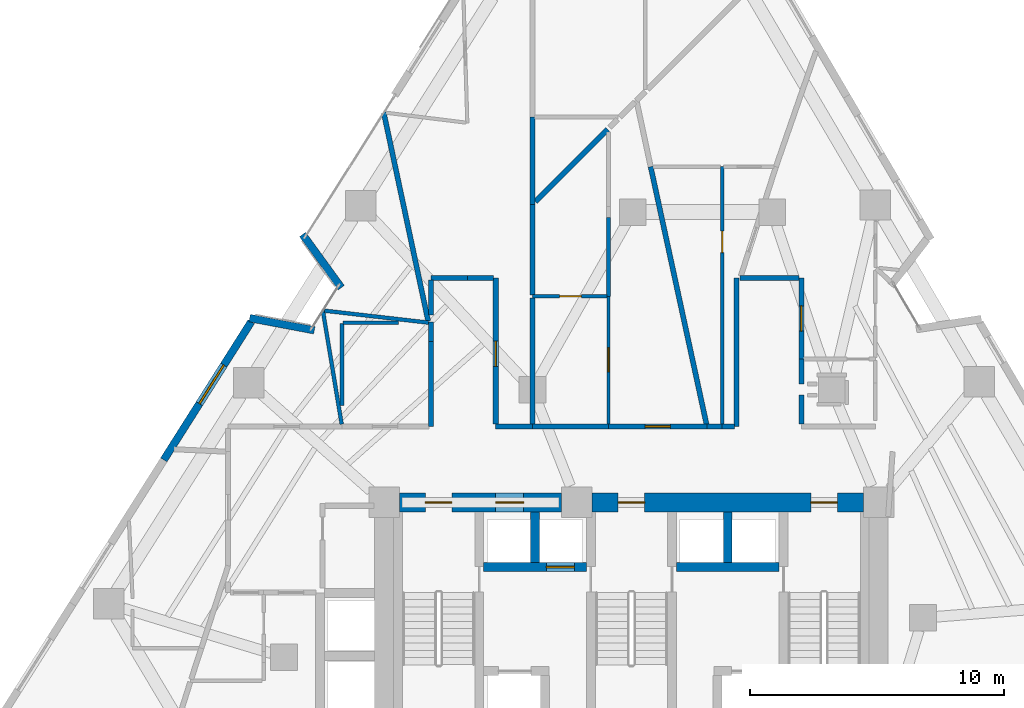
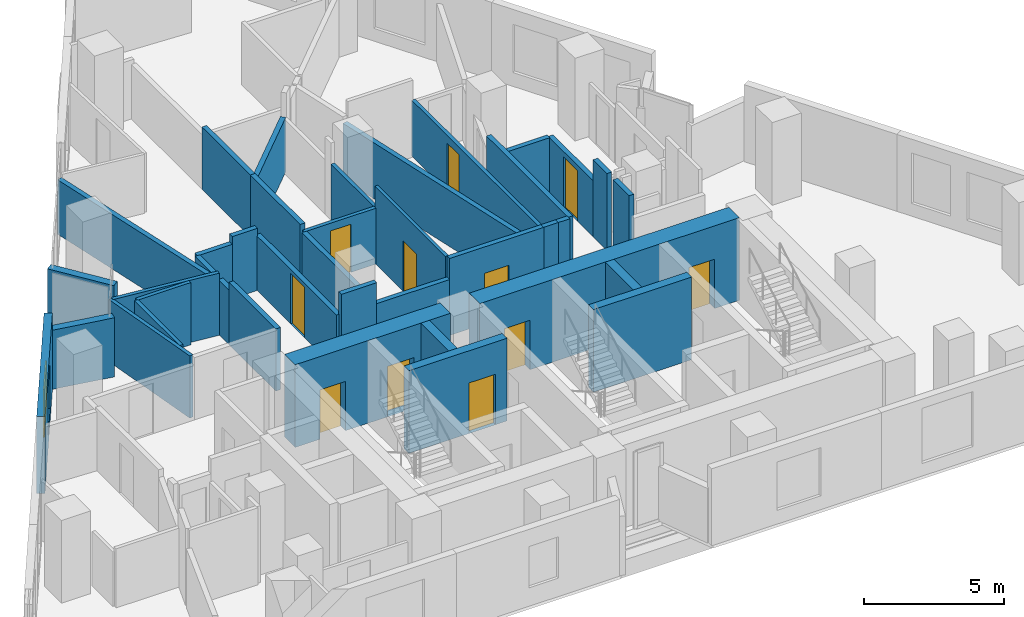
# One storey, part 7 of 12: 39 walls, 11 doors, 1 window, 12 openings.
"""IFC4 building model written with IfcOpenShell, lengths in metres."""

from ifc_helpers import new_model, si_unit, direction, frame, frame_2d, origin, place, context, subcontext, project, spatial, rectangle, extrude, material, layer, layer_set, type_object, element, fill, save


model = new_model("IFC4")

# Units and contexts
model_context = context("Model", 3, precision=1e-05, world=origin(), true_north=direction((0.0, 1.0)))
body_context = subcontext(model_context, "Body", "Model", "MODEL_VIEW")
ifc_project = project(units=[si_unit("LENGTHUNIT", "METRE"), si_unit("AREAUNIT", "SQUARE_METRE"), si_unit("VOLUMEUNIT", "CUBIC_METRE"), si_unit("PLANEANGLEUNIT", "RADIAN"), si_unit("MASSUNIT", "GRAM", prefix="KILO")], contexts=[model_context])

# Site, building, storey
site_placement = place(None, origin())
site = spatial("IfcSite", under=ifc_project, at=site_placement, CompositionType="ELEMENT")
building_placement = place(site_placement, origin())
building = spatial("IfcBuilding", under=site, at=building_placement, Name="Almagre Mirador Tower", CompositionType="ELEMENT")
storey_placement = place(building_placement, frame((0.0, 0.0, 110.39990234375)))
storey = spatial("IfcBuildingStorey", under=building, at=storey_placement, Name="L27", CompositionType="ELEMENT", Elevation=110.39990234375)

# Walls
ifc_material_1 = material(Name="Precast concrete C50/60", Category="concrete")
ifc_layer_1 = layer(ifc_material_1, 0.300048828125)
ifc_layer_set_1 = layer_set([ifc_layer_1], Name="Precast concrete C50/60")
wall_type_1 = type_object("IfcWallType", Name="WAL-EXT-300", PredefinedType="SOLIDWALL", material=ifc_layer_set_1)
for number, where, z_axis, x_axis, name in (
    (1, (22.246337890625, 22.02099609375, 0.0), (0.0, 0.0, 1.0), (0.982733402646, -0.185027185367, 0.0), "L27 expressed almagre precast frame wall 01"),
    (2, (25.8583984375, 23.2197265625, 0.0), (0.0, 0.0, 1.0), (-0.587763102288, 0.809033086832, 0.0), "L27 expressed almagre precast frame wall 02"),
):
    element("IfcWall", number, at=place(storey_placement, frame(where, z_axis=z_axis, x_axis=x_axis)), inside=storey, type_object=wall_type_1, Name=name, PredefinedType="SOLIDWALL", context=body_context, shape_type="SweptSolid", body=[
        extrude(rectangle(XDim=2.593994140625, YDim=0.300048828125, at=frame_2d((1.296875, 0.0))), origin(), (0.0, 0.0, 1.0), 2.5751953125),
    ])

# Wall, opening, window
wall_1_placement = place(storey_placement, frame((18.860595703125, 16.429443359375, 0.0), z_axis=(0.0, 0.0, 1.0), x_axis=(0.534891708764, 0.844920623429, 0.0)))
wall_1 = element("IfcWall", 3, at=wall_1_placement, inside=storey, type_object=wall_type_1, Name="L27 expressed almagre precast frame wall 35", PredefinedType="SOLIDWALL", context=body_context, shape_type="SweptSolid", body=[
    extrude(rectangle(XDim=6.447021484375, YDim=0.300048828125, at=frame_2d((3.2236328125, 0.0))), origin(), (0.0, 0.0, 1.0), 3.35009765625),
])
opening_1_placement = place(wall_1_placement, frame((2.625, 0.0, 0.60009765625)))
opening_1 = element("IfcOpeningElement", 4, at=opening_1_placement, cuts=wall_1, Name="Opening WN-01", PredefinedType="OPENING", context=body_context, shape_type="SweptSolid", body=[
    extrude(rectangle(XDim=1.800048828125, YDim=2.10009765625, at=frame_2d((0.89990234375, 1.050048828125))), frame((0.0, 0.159902, 0.0), z_axis=(0.0, -1.0, 0.0), x_axis=(1.0, 0.0, 0.0)), (0.0, 0.0, 1.0), 0.320049),
])
ifc_material_2 = material(Name="Dark solar-control laminated hurricane glass", Category="glass")
window_type = type_object("IfcWindowType", Name="WIN-1800X2100", PartitioningType="DOUBLE_PANEL_VERTICAL", PredefinedType="WINDOW", material=ifc_material_2)
window_placement = place(opening_1_placement, origin())
window = element("IfcWindow", 5, at=window_placement, inside=storey, type_object=window_type, Name="L27 recessed hurricane window L27-UF-ST", OverallHeight=2.10009765625, OverallWidth=1.800048828125, PartitioningType="SINGLE_PANEL", PredefinedType="WINDOW", context=body_context, shape_type="SweptSolid", body=[
    extrude(rectangle(XDim=1.800048828125, YDim=2.10009765625, at=frame_2d((0.89990234375, 1.050048828125))), frame((0.0, 0.030029296875, 0.0), z_axis=(0.0, -1.0, 0.0), x_axis=(1.0, 0.0, 0.0)), (0.0, 0.0, 1.0), 0.06005859375),
])
fill(opening_1, window)

# Wall, opening, door
ifc_material_3 = material(Name="Gypsum acoustic stud partition", Category="other")
ifc_layer_2 = layer(ifc_material_3, 0.125)
ifc_layer_set_2 = layer_set([ifc_layer_2], Name="Gypsum acoustic stud partition")
wall_type_2 = type_object("IfcWallType", Name="WAL-PRT-125-UTL", PredefinedType="PARTITIONING", material=ifc_layer_set_2)
wall_2_placement = place(storey_placement, frame((36.39990234375, 22.8798828125, 0.0), z_axis=(0.0, 0.0, 1.0), x_axis=(0.0, -1.0, 0.0)))
wall_2 = element("IfcWall", 6, at=wall_2_placement, inside=storey, type_object=wall_type_2, Name="L27 interior partition 059", PredefinedType="PARTITIONING", context=body_context, shape_type="SweptSolid", body=[
    extrude(rectangle(XDim=5.044921875, YDim=0.125, at=frame_2d((2.5224609375, 0.0))), origin(), (0.0, 0.0, 1.0), 3.35009765625),
])
opening_2_placement = place(wall_2_placement, frame((2.031005859375, 0.0, 0.0)))
opening_2 = element("IfcOpeningElement", 7, at=opening_2_placement, cuts=wall_2, Name="Opening UD-01", PredefinedType="OPENING", context=body_context, shape_type="SweptSolid", body=[
    extrude(rectangle(XDim=0.949951171875, YDim=2.199951171875, at=frame_2d((0.47509765625, 1.10009765625))), frame((0.0, 0.0725, 0.0), z_axis=(0.0, -1.0, 0.0), x_axis=(1.0, 0.0, 0.0)), (0.0, 0.0, 1.0), 0.145),
])
ifc_material_4 = material(Name="Solid American walnut timber", Category="wood")
door_type_1 = type_object("IfcDoorType", Name="DOR-UNR-950X2200", OperationType="NOTDEFINED", PredefinedType="DOOR", material=ifc_material_4)
door_1_placement = place(opening_2_placement, origin())
door_1 = element("IfcDoor", 8, at=door_1_placement, inside=storey, type_object=door_type_1, Name="DR-0893 L27 interior door L27-UG-ST to L27-UG-KT", OperationType="SINGLE_SWING_LEFT", OverallHeight=2.199951171875, OverallWidth=0.949951171875, PredefinedType="DOOR", context=body_context, shape_type="SweptSolid", body=[
    extrude(rectangle(XDim=0.949951171875, YDim=2.199951171875, at=frame_2d((0.47509765625, 1.10009765625))), frame((0.0, 0.02490234375, 0.0), z_axis=(0.0, -1.0, 0.0), x_axis=(1.0, 0.0, 0.0)), (0.0, 0.0, 1.0), 0.050048828125),
])
fill(opening_2, door_1)

# Walls
ifc_material_5 = material(Name="Gypsum acoustic stud partition", Category="other")
ifc_layer_3 = layer(ifc_material_5, 0.14990234375)
ifc_layer_set_3 = layer_set([ifc_layer_3], Name="Gypsum acoustic stud partition")
wall_type_3 = type_object("IfcWallType", Name="WAL-PRT-150-STD", PredefinedType="PARTITIONING", material=ifc_layer_set_3)
wall_3_placement = place(storey_placement, frame((25.876220703125, 17.833984375, 0.0), z_axis=(0.0, 0.0, 1.0), x_axis=(-0.163258044995, 0.986583402832, 0.0)))
element("IfcWall", 9, at=wall_3_placement, inside=storey, type_object=wall_type_3, Name="L27 interior partition 054", PredefinedType="PARTITIONING", context=body_context, shape_type="SweptSolid", body=[
    extrude(rectangle(XDim=4.546142578125, YDim=0.14990234375, at=frame_2d((2.27294921875, 0.0))), origin(), (0.0, 0.0, 1.0), 2.708984375),
])
wall_4_placement = place(storey_placement, frame((29.300048828125, 21.840087890625, 0.0), z_axis=(0.0, 0.0, 1.0), x_axis=(-0.993461085134, 0.114171241234, 0.0)))
element("IfcWall", 10, at=wall_4_placement, inside=storey, type_object=wall_type_3, Name="L27 interior partition 055", PredefinedType="PARTITIONING", context=body_context, shape_type="SweptSolid", body=[
    extrude(rectangle(XDim=4.133544921875, YDim=0.14990234375, at=frame_2d((2.06689453125, 0.0))), origin(), (0.0, 0.0, 1.0), 2.708984375),
])
wall_5_placement = place(storey_placement, frame((36.39990234375, 25.97998046875, 0.0), z_axis=(0.0, 0.0, 1.0), x_axis=(0.0, -1.0, 0.0)))
element("IfcWall", 11, at=wall_5_placement, inside=storey, type_object=wall_type_3, Name="L27 interior partition 057", PredefinedType="PARTITIONING", context=body_context, shape_type="SweptSolid", body=[
    extrude(rectangle(XDim=3.10009765625, YDim=0.14990234375, at=frame_2d((1.550048828125, 0.0))), origin(), (0.0, 0.0, 1.0), 2.43603515625),
])

# Wall, opening, door
wall_6_placement = place(storey_placement, frame((33.39990234375, 22.8798828125, 0.0), z_axis=(0.0, 0.0, 1.0), x_axis=(1.0, 0.0, 0.0)))
wall_6 = element("IfcWall", 12, at=wall_6_placement, inside=storey, type_object=wall_type_3, Name="L27 interior partition 064", PredefinedType="PARTITIONING", context=body_context, shape_type="SweptSolid", body=[
    extrude(rectangle(XDim=2.940185546875, YDim=0.14990234375, at=frame_2d((1.47021484375, 0.0))), origin(), (0.0, 0.0, 1.0), 2.43603515625),
])
opening_3_placement = place(wall_6_placement, frame((1.074951171875, 0.0, 0.0)))
opening_3 = element("IfcOpeningElement", 13, at=opening_3_placement, cuts=wall_6, Name="Opening UD-04", PredefinedType="OPENING", context=body_context, shape_type="SweptSolid", body=[
    extrude(rectangle(XDim=0.85009765625, YDim=2.10009765625, at=frame_2d((0.425048828125, 1.050048828125))), frame((0.0, 0.084951, 0.0), z_axis=(0.0, -1.0, 0.0), x_axis=(1.0, 0.0, 0.0)), (0.0, 0.0, 1.0), 0.169902),
])
ifc_material_6 = material(Name="Moisture-resistant oak timber", Category="wood")
door_type_2 = type_object("IfcDoorType", Name="DOR-UNR-850X2100", OperationType="NOTDEFINED", PredefinedType="DOOR", material=ifc_material_6)
door_2_placement = place(opening_3_placement, origin())
door_2 = element("IfcDoor", 14, at=door_2_placement, inside=storey, type_object=door_type_2, Name="DR-0894 L27 interior door L27-UG-BT to L27-UG-KT", OperationType="SINGLE_SWING_RIGHT", OverallHeight=2.10009765625, OverallWidth=0.85009765625, PredefinedType="DOOR", context=body_context, shape_type="SweptSolid", body=[
    extrude(rectangle(XDim=0.85009765625, YDim=2.10009765625, at=frame_2d((0.425048828125, 1.050048828125))), frame((0.0, 0.02490234375, 0.0), z_axis=(0.0, -1.0, 0.0), x_axis=(1.0, 0.0, 0.0)), (0.0, 0.0, 1.0), 0.050048828125),
])
fill(opening_3, door_2)

wall_7_placement = place(storey_placement, frame((40.8798828125, 27.989990234375, 0.0), z_axis=(0.0, 0.0, 1.0), x_axis=(0.0, -1.0, 0.0)))
wall_7 = element("IfcWall", 15, at=wall_7_placement, inside=storey, type_object=wall_type_3, Name="L27 interior partition 082", PredefinedType="PARTITIONING", context=body_context, shape_type="SweptSolid", body=[
    extrude(rectangle(XDim=10.155029296875, YDim=0.14990234375, at=frame_2d((5.07763671875, 0.0))), origin(), (0.0, 0.0, 1.0), 2.43603515625),
])
opening_4_placement = place(wall_7_placement, frame((2.537353515625, 0.0, 0.0)))
opening_4 = element("IfcOpeningElement", 16, at=opening_4_placement, cuts=wall_7, Name="Opening UD-04", PredefinedType="OPENING", context=body_context, shape_type="SweptSolid", body=[
    extrude(rectangle(XDim=0.85009765625, YDim=2.10009765625, at=frame_2d((0.425048828125, 1.050048828125))), frame((0.0, 0.084951, 0.0), z_axis=(0.0, -1.0, 0.0), x_axis=(1.0, 0.0, 0.0)), (0.0, 0.0, 1.0), 0.169902),
])
door_3_placement = place(opening_4_placement, origin())
door_3 = element("IfcDoor", 17, at=door_3_placement, inside=storey, type_object=door_type_2, Name="DR-0902 L27 interior door L27-UK-ST to L27-UK-BT", OperationType="SINGLE_SWING_LEFT", OverallHeight=2.10009765625, OverallWidth=0.85009765625, PredefinedType="DOOR", context=body_context, shape_type="SweptSolid", body=[
    extrude(rectangle(XDim=0.85009765625, YDim=2.10009765625, at=frame_2d((0.425048828125, 1.050048828125))), frame((0.0, 0.02490234375, 0.0), z_axis=(0.0, -1.0, 0.0), x_axis=(1.0, 0.0, 0.0)), (0.0, 0.0, 1.0), 0.050048828125),
])
fill(opening_4, door_3)

# Walls
wall_8_placement = place(storey_placement, frame((25.889892578125, 18.576904296875, 0.0), z_axis=(0.0, 0.0, 1.0), x_axis=(0.0, 1.0, 0.0)))
element("IfcWall", 18, at=wall_8_placement, inside=storey, type_object=wall_type_3, Name="L27 interior partition 094", PredefinedType="PARTITIONING", context=body_context, shape_type="SweptSolid", body=[
    extrude(rectangle(XDim=3.22314453125, YDim=0.14990234375, at=frame_2d((1.611572265625, 0.0))), origin(), (0.0, 0.0, 1.0), 2.708984375),
])
wall_9_placement = place(storey_placement, frame((25.929931640625, 21.840087890625, 0.0), z_axis=(0.0, 0.0, 1.0), x_axis=(1.0, 0.0, 0.0)))
element("IfcWall", 19, at=wall_9_placement, inside=storey, type_object=wall_type_3, Name="L27 interior partition 095", PredefinedType="PARTITIONING", context=body_context, shape_type="SweptSolid", body=[
    extrude(rectangle(XDim=2.18798828125, YDim=0.14990234375, at=frame_2d((1.093994140625, 0.0))), origin(), (0.0, 0.0, 1.0), 2.708984375),
])
ifc_material_7 = material(Name="Gypsum acoustic stud partition", Category="other")
ifc_layer_4 = layer(ifc_material_7, 0.199951171875)
ifc_layer_set_4 = layer_set([ifc_layer_4], Name="Gypsum acoustic stud partition")
wall_type_4 = type_object("IfcWallType", Name="WAL-PRT-200-EI60", PredefinedType="PARTITIONING", material=ifc_layer_set_4)
wall_10_placement = place(storey_placement, frame((29.39990234375, 21.10009765625, 0.0), z_axis=(0.0, 0.0, 1.0), x_axis=(0.0, -1.0, 0.0)))
element("IfcWall", 20, at=wall_10_placement, inside=storey, type_object=wall_type_4, Name="L27 interior partition 008", PredefinedType="PARTITIONING", context=body_context, shape_type="SweptSolid", body=[
    extrude(rectangle(XDim=3.35009765625, YDim=0.199951171875, at=frame_2d((1.675048828125, 0.0))), origin(), (0.0, 0.0, 1.0), 2.708984375),
])

# Wall, opening, door
wall_11_placement = place(storey_placement, frame((40.280029296875, 17.75, 0.0), z_axis=(0.0, 0.0, 1.0), x_axis=(-1.0, 0.0, 0.0)))
wall_11 = element("IfcWall", 21, at=wall_11_placement, inside=storey, type_object=wall_type_4, Name="L27 interior partition 010", PredefinedType="PARTITIONING", context=body_context, shape_type="SweptSolid", body=[
    extrude(rectangle(XDim=3.880126953125, YDim=0.199951171875, at=frame_2d((1.93994140625, 0.0))), origin(), (0.0, 0.0, 1.0), 3.35009765625),
])
opening_5_placement = place(wall_11_placement, frame((1.43994140625, 0.0, 0.0)))
opening_5 = element("IfcOpeningElement", 22, at=opening_5_placement, cuts=wall_11, Name="Opening ID-01", PredefinedType="OPENING", context=body_context, shape_type="SweptSolid", body=[
    extrude(rectangle(XDim=1.0, YDim=2.199951171875, at=frame_2d((0.5, 1.10009765625))), frame((0.0, 0.110098, 0.0), z_axis=(0.0, -1.0, 0.0), x_axis=(1.0, 0.0, 0.0)), (0.0, 0.0, 1.0), 0.219951),
])
ifc_material_8 = material(Name="Fire-rated walnut timber", Category="wood")
door_type_3 = type_object("IfcDoorType", Name="DOR-FD60-1000X2200", OperationType="NOTDEFINED", PredefinedType="DOOR", material=ifc_material_8)
door_4_placement = place(opening_5_placement, origin())
door_4 = element("IfcDoor", 23, at=door_4_placement, inside=storey, type_object=door_type_3, Name="DR-0892 L27 interior door L27-RCOR to L27-UG-ST", OperationType="SINGLE_SWING_RIGHT", OverallHeight=2.199951171875, OverallWidth=1.0, PredefinedType="DOOR", context=body_context, shape_type="SweptSolid", body=[
    extrude(rectangle(XDim=1.0, YDim=2.199951171875, at=frame_2d((0.5, 1.10009765625))), frame((0.0, 0.02490234375, 0.0), z_axis=(0.0, -1.0, 0.0), x_axis=(1.0, 0.0, 0.0)), (0.0, 0.0, 1.0), 0.050048828125),
])
fill(opening_5, door_4)

# Wall
wall_12_placement = place(storey_placement, frame((36.39990234375, 17.75, 0.0), z_axis=(0.0, 0.0, 1.0), x_axis=(-1.0, 0.0, 0.0)))
element("IfcWall", 24, at=wall_12_placement, inside=storey, type_object=wall_type_4, Name="L27 interior partition 011", PredefinedType="PARTITIONING", context=body_context, shape_type="SweptSolid", body=[
    extrude(rectangle(XDim=3.0, YDim=0.199951171875, at=frame_2d((1.5, 0.0))), origin(), (0.0, 0.0, 1.0), 2.43603515625),
])

# Wall, opening, door
wall_13_placement = place(storey_placement, frame((44.0, 20.409912109375, 0.0), z_axis=(0.0, 0.0, 1.0), x_axis=(0.0, 1.0, 0.0)))
wall_13 = element("IfcWall", 25, at=wall_13_placement, inside=storey, type_object=wall_type_4, Name="L27 interior partition 012", PredefinedType="PARTITIONING", context=body_context, shape_type="SweptSolid", body=[
    extrude(rectangle(XDim=3.190185546875, YDim=0.199951171875, at=frame_2d((1.59521484375, 0.0))), origin(), (0.0, 0.0, 1.0), 2.43603515625),
])
opening_6_placement = place(wall_13_placement, frame((1.094970703125, 0.0, 0.0)))
opening_6 = element("IfcOpeningElement", 26, at=opening_6_placement, cuts=wall_13, Name="Opening ID-01", PredefinedType="OPENING", context=body_context, shape_type="SweptSolid", body=[
    extrude(rectangle(XDim=1.0, YDim=2.199951171875, at=frame_2d((0.5, 1.10009765625))), frame((0.0, 0.110098, 0.0), z_axis=(0.0, -1.0, 0.0), x_axis=(1.0, 0.0, 0.0)), (0.0, 0.0, 1.0), 0.219951),
])
door_5_placement = place(opening_6_placement, origin())
door_5 = element("IfcDoor", 27, at=door_5_placement, inside=storey, type_object=door_type_3, Name="DR-0895 L27 interior door L27-RCOR to L27-UH-LV", OperationType="SINGLE_SWING_LEFT", OverallHeight=2.199951171875, OverallWidth=1.0, PredefinedType="DOOR", context=body_context, shape_type="SweptSolid", body=[
    extrude(rectangle(XDim=1.0, YDim=2.199951171875, at=frame_2d((0.5, 1.10009765625))), frame((0.0, 0.02490234375, 0.0), z_axis=(0.0, -1.0, 0.0), x_axis=(1.0, 0.0, 0.0)), (0.0, 0.0, 1.0), 0.050048828125),
])
fill(opening_6, door_5)

# Walls
wall_14_placement = place(storey_placement, frame((43.9150390625, 23.60009765625, 0.0), z_axis=(0.0, 0.0, 1.0), x_axis=(-1.0, 0.0, 0.0)))
element("IfcWall", 28, at=wall_14_placement, inside=storey, type_object=wall_type_4, Name="L27 interior partition 013", PredefinedType="PARTITIONING", context=body_context, shape_type="SweptSolid", body=[
    extrude(rectangle(XDim=2.324951171875, YDim=0.199951171875, at=frame_2d((1.16259765625, 0.0))), origin(), (0.0, 0.0, 1.0), 2.43603515625),
])
wall_15_placement = place(storey_placement, frame((44.0, 17.8349609375, 0.0), z_axis=(0.0, 0.0, 1.0), x_axis=(0.0, 1.0, 0.0)))
element("IfcWall", 29, at=wall_15_placement, inside=storey, type_object=wall_type_4, Name="L27 interior partition 015", PredefinedType="PARTITIONING", context=body_context, shape_type="SweptSolid", body=[
    extrude(rectangle(XDim=1.14501953125, YDim=0.199951171875, at=frame_2d((0.572509765625, 0.0))), origin(), (0.0, 0.0, 1.0), 3.35009765625),
])
wall_16_placement = place(storey_placement, frame((44.0, 19.419921875, 0.0), z_axis=(0.0, 0.0, 1.0), x_axis=(0.0, 1.0, 0.0)))
element("IfcWall", 30, at=wall_16_placement, inside=storey, type_object=wall_type_4, Name="L27 interior partition 016", PredefinedType="PARTITIONING", context=body_context, shape_type="SweptSolid", body=[
    extrude(rectangle(XDim=0.989990234375, YDim=0.199951171875, at=frame_2d((0.4951171875, 0.0))), origin(), (0.0, 0.0, 1.0), 3.35009765625),
])
wall_17_placement = place(storey_placement, frame((33.39990234375, 17.75, 0.0), z_axis=(0.0, 0.0, 1.0), x_axis=(-1.0, 0.0, 0.0)))
element("IfcWall", 31, at=wall_17_placement, inside=storey, type_object=wall_type_4, Name="L27 interior partition 017", PredefinedType="PARTITIONING", context=body_context, shape_type="SweptSolid", body=[
    extrude(rectangle(XDim=1.449951171875, YDim=0.199951171875, at=frame_2d((0.72509765625, 0.0))), origin(), (0.0, 0.0, 1.0), 3.35009765625),
])

# Wall, opening, door
wall_18_placement = place(storey_placement, frame((31.949951171875, 17.8349609375, 0.0), z_axis=(0.0, 0.0, 1.0), x_axis=(0.0, 1.0, 0.0)))
wall_18 = element("IfcWall", 32, at=wall_18_placement, inside=storey, type_object=wall_type_4, Name="L27 interior partition 018", PredefinedType="PARTITIONING", context=body_context, shape_type="SweptSolid", body=[
    extrude(rectangle(XDim=5.76513671875, YDim=0.199951171875, at=frame_2d((2.882568359375, 0.0))), origin(), (0.0, 0.0, 1.0), 2.3720703125),
])
opening_7_placement = place(wall_18_placement, frame((2.281494140625, 0.0, 0.0)))
opening_7 = element("IfcOpeningElement", 33, at=opening_7_placement, cuts=wall_18, Name="Opening ID-01", PredefinedType="OPENING", context=body_context, shape_type="SweptSolid", body=[
    extrude(rectangle(XDim=1.0, YDim=2.199951171875, at=frame_2d((0.5, 1.10009765625))), frame((0.0, 0.110098, 0.0), z_axis=(0.0, -1.0, 0.0), x_axis=(1.0, 0.0, 0.0)), (0.0, 0.0, 1.0), 0.219951),
])
door_6_placement = place(opening_7_placement, origin())
door_6 = element("IfcDoor", 34, at=door_6_placement, inside=storey, type_object=door_type_3, Name="DR-0899 L27 interior door L27-RCOR to L27-UJ-LV", OperationType="SINGLE_SWING_LEFT", OverallHeight=2.199951171875, OverallWidth=1.0, PredefinedType="DOOR", context=body_context, shape_type="SweptSolid", body=[
    extrude(rectangle(XDim=1.0, YDim=2.199951171875, at=frame_2d((0.5, 1.10009765625))), frame((0.0, 0.02490234375, 0.0), z_axis=(0.0, -1.0, 0.0), x_axis=(1.0, 0.0, 0.0)), (0.0, 0.0, 1.0), 0.050048828125),
])
fill(opening_7, door_6)

# Walls
wall_19_placement = place(storey_placement, frame((31.864990234375, 23.60009765625, 0.0), z_axis=(0.0, 0.0, 1.0), x_axis=(-1.0, 0.0, 0.0)))
element("IfcWall", 35, at=wall_19_placement, inside=storey, type_object=wall_type_4, Name="L27 interior partition 019", PredefinedType="PARTITIONING", context=body_context, shape_type="SweptSolid", body=[
    extrude(rectangle(XDim=1.034912109375, YDim=0.199951171875, at=frame_2d((0.517578125, 0.0))), origin(), (0.0, 0.0, 1.0), 2.708984375),
])
wall_20_placement = place(storey_placement, frame((30.830078125, 23.60009765625, 0.0), z_axis=(0.0, 0.0, 1.0), x_axis=(-1.0, 0.0, 0.0)))
element("IfcWall", 36, at=wall_20_placement, inside=storey, type_object=wall_type_4, Name="L27 interior partition 020", PredefinedType="PARTITIONING", context=body_context, shape_type="SweptSolid", body=[
    extrude(rectangle(XDim=1.43017578125, YDim=0.199951171875, at=frame_2d((0.715087890625, 0.0))), origin(), (0.0, 0.0, 1.0), 2.3720703125),
])
wall_21_placement = place(storey_placement, frame((29.39990234375, 23.514892578125, 0.0), z_axis=(0.0, 0.0, 1.0), x_axis=(0.0, -1.0, 0.0)))
element("IfcWall", 37, at=wall_21_placement, inside=storey, type_object=wall_type_4, Name="L27 interior partition 021", PredefinedType="PARTITIONING", context=body_context, shape_type="SweptSolid", body=[
    extrude(rectangle(XDim=1.376953125, YDim=0.199951171875, at=frame_2d((0.6884765625, 0.0))), origin(), (0.0, 0.0, 1.0), 2.3720703125),
])
wall_22_placement = place(storey_placement, frame((41.449951171875, 23.60009765625, 0.0), z_axis=(0.0, 0.0, 1.0), x_axis=(0.0, -1.0, 0.0)))
element("IfcWall", 38, at=wall_22_placement, inside=storey, type_object=wall_type_4, Name="L27 interior partition 022", PredefinedType="PARTITIONING", context=body_context, shape_type="SweptSolid", body=[
    extrude(rectangle(XDim=5.85009765625, YDim=0.199951171875, at=frame_2d((2.925048828125, 0.0))), origin(), (0.0, 0.0, 1.0), 3.35009765625),
])
wall_23_placement = place(storey_placement, frame((41.364990234375, 17.75, 0.0), z_axis=(0.0, 0.0, 1.0), x_axis=(-1.0, 0.0, 0.0)))
element("IfcWall", 39, at=wall_23_placement, inside=storey, type_object=wall_type_4, Name="L27 interior partition 023", PredefinedType="PARTITIONING", context=body_context, shape_type="SweptSolid", body=[
    extrude(rectangle(XDim=0.485107421875, YDim=0.199951171875, at=frame_2d((0.24267578125, 0.0))), origin(), (0.0, 0.0, 1.0), 3.35009765625),
])
wall_24_placement = place(storey_placement, frame((40.8798828125, 17.75, 0.0), z_axis=(0.0, 0.0, 1.0), x_axis=(-1.0, 0.0, 0.0)))
element("IfcWall", 40, at=wall_24_placement, inside=storey, type_object=wall_type_4, Name="L27 interior partition 024", PredefinedType="PARTITIONING", context=body_context, shape_type="SweptSolid", body=[
    extrude(rectangle(XDim=0.599853515625, YDim=0.199951171875, at=frame_2d((0.2998046875, 0.0))), origin(), (0.0, 0.0, 1.0), 3.35009765625),
])
wall_25_placement = place(storey_placement, frame((29.28759765625, 21.898681640625, 0.0), z_axis=(0.0, 0.0, 1.0), x_axis=(-0.208508604507, 0.978020532426, 0.0)))
element("IfcWall", 41, at=wall_25_placement, inside=storey, type_object=wall_type_4, Name="L27 interior partition 056", PredefinedType="PARTITIONING", context=body_context, shape_type="SweptSolid", body=[
    extrude(rectangle(XDim=8.415283203125, YDim=0.199951171875, at=frame_2d((4.20751953125, 0.0))), origin(), (0.0, 0.0, 1.0), 2.3720703125),
])
wall_26_placement = place(storey_placement, frame((40.261962890625, 17.8330078125, 0.0), z_axis=(0.0, 0.0, 1.0), x_axis=(-0.211865908249, 0.977298744971, 0.0)))
element("IfcWall", 42, at=wall_26_placement, inside=storey, type_object=wall_type_4, Name="L27 interior partition 060", PredefinedType="PARTITIONING", context=body_context, shape_type="SweptSolid", body=[
    extrude(rectangle(XDim=10.392822265625, YDim=0.199951171875, at=frame_2d((5.1962890625, 0.0))), origin(), (0.0, 0.0, 1.0), 2.43603515625),
])
wall_27_placement = place(storey_placement, frame((33.39990234375, 26.5, 0.0), z_axis=(0.0, 0.0, 1.0), x_axis=(0.0, -1.0, 0.0)))
element("IfcWall", 43, at=wall_27_placement, inside=storey, type_object=wall_type_4, Name="L27 interior partition 065", PredefinedType="PARTITIONING", context=body_context, shape_type="SweptSolid", body=[
    extrude(rectangle(XDim=3.56005859375, YDim=0.199951171875, at=frame_2d((1.780029296875, 0.0))), origin(), (0.0, 0.0, 1.0), 2.708984375),
])
wall_28_placement = place(storey_placement, frame((36.357666015625, 29.45751953125, 0.0), z_axis=(0.0, 0.0, 1.0), x_axis=(-0.707137163672, -0.707076397395, 0.0)))
element("IfcWall", 44, at=wall_28_placement, inside=storey, type_object=wall_type_4, Name="L27 interior partition 066", PredefinedType="PARTITIONING", context=body_context, shape_type="SweptSolid", body=[
    extrude(rectangle(XDim=4.017578125, YDim=0.199951171875, at=frame_2d((2.0087890625, 0.0))), origin(), (0.0, 0.0, 1.0), 2.3720703125),
])
wall_29_placement = place(storey_placement, frame((33.39990234375, 22.820068359375, 0.0), z_axis=(0.0, 0.0, 1.0), x_axis=(0.0, -1.0, 0.0)))
element("IfcWall", 45, at=wall_29_placement, inside=storey, type_object=wall_type_4, Name="L27 interior partition 067", PredefinedType="PARTITIONING", context=body_context, shape_type="SweptSolid", body=[
    extrude(rectangle(XDim=4.985107421875, YDim=0.199951171875, at=frame_2d((2.49267578125, 0.0))), origin(), (0.0, 0.0, 1.0), 2.43603515625),
])
wall_30_placement = place(storey_placement, frame((33.39990234375, 26.5, 0.0), z_axis=(0.0, 0.0, 1.0), x_axis=(0.0, 1.0, 0.0)))
element("IfcWall", 46, at=wall_30_placement, inside=storey, type_object=wall_type_4, Name="L27 interior partition 079", PredefinedType="PARTITIONING", context=body_context, shape_type="SweptSolid", body=[
    extrude(rectangle(XDim=3.449951171875, YDim=0.199951171875, at=frame_2d((1.72509765625, 0.0))), origin(), (0.0, 0.0, 1.0), 2.708984375),
])
wall_31_placement = place(storey_placement, frame((29.39990234375, 21.861083984375, 0.0), z_axis=(0.0, 0.0, 1.0), x_axis=(0.0, -1.0, 0.0)))
element("IfcWall", 47, at=wall_31_placement, inside=storey, type_object=wall_type_4, Name="L27 interior partition 111", PredefinedType="PARTITIONING", context=body_context, shape_type="SweptSolid", body=[
    extrude(rectangle(XDim=0.760986328125, YDim=0.199951171875, at=frame_2d((0.38037109375, 0.0))), origin(), (0.0, 0.0, 1.0), 2.3720703125),
])

# Wall, opening, door
ifc_material_9 = material(Name="Concrete C60/75", Category="concrete")
ifc_layer_5 = layer(ifc_material_9, 0.35009765625)
ifc_layer_set_5 = layer_set([ifc_layer_5], Name="Concrete C60/75")
wall_type_5 = type_object("IfcWallType", Name="WAL-SHF-350", PredefinedType="SOLIDWALL", material=ifc_layer_set_5)
wall_32_placement = place(storey_placement, frame((31.47509765625, 12.199951171875, 0.0), z_axis=(0.0, 0.0, 1.0), x_axis=(1.0, 0.0, 0.0)))
wall_32 = element("IfcWall", 48, at=wall_32_placement, inside=storey, type_object=wall_type_5, Name="L27 shaft wall PLM-S", PredefinedType="SOLIDWALL", context=body_context, shape_type="SweptSolid", body=[
    extrude(rectangle(XDim=4.0498046875, YDim=0.35009765625, at=frame_2d((2.02490234375, 0.0))), origin(), (0.0, 0.0, 1.0), 3.60009765625),
])
opening_8_placement = place(wall_32_placement, frame((2.47509765625, 0.0, 0.0)))
opening_8 = element("IfcOpeningElement", 49, at=opening_8_placement, cuts=wall_32, Name="Opening LD-01", PredefinedType="OPENING", context=body_context, shape_type="SweptSolid", body=[
    extrude(rectangle(XDim=1.10009765625, YDim=2.199951171875, at=frame_2d((0.550048828125, 1.10009765625))), frame((0.0, 0.185049, 0.0), z_axis=(0.0, -1.0, 0.0), x_axis=(1.0, 0.0, 0.0)), (0.0, 0.0, 1.0), 0.370098),
])
ifc_material_10 = material(Name="Hollow stainless steel", Category="steel")
door_type_4 = type_object("IfcDoorType", Name="DOR-LD-1100X2200", OperationType="DOUBLE_DOOR_SLIDING", PredefinedType="DOOR", material=ifc_material_10)
door_7_placement = place(opening_8_placement, origin())
door_7 = element("IfcDoor", 50, at=door_7_placement, inside=storey, type_object=door_type_4, Name="DR-0909 L27 PL-M2 lift landing door", OperationType="DOUBLE_DOOR_SLIDING", OverallHeight=2.199951171875, OverallWidth=1.10009765625, PredefinedType="DOOR", context=body_context, shape_type="SweptSolid", body=[
    extrude(rectangle(XDim=1.10009765625, YDim=2.199951171875, at=frame_2d((0.550048828125, 1.10009765625))), frame((0.0, 0.02490234375, 0.0), z_axis=(0.0, -1.0, 0.0), x_axis=(1.0, 0.0, 0.0)), (0.0, 0.0, 1.0), 0.050048828125),
])
fill(opening_8, door_7)

# Walls
wall_33_placement = place(storey_placement, frame((33.5, 12.375, 0.0), z_axis=(0.0, 0.0, 1.0), x_axis=(0.0, 1.0, 0.0)))
element("IfcWall", 51, at=wall_33_placement, inside=storey, type_object=wall_type_5, Name="L27 shaft wall PLM-M", PredefinedType="SOLIDWALL", context=body_context, shape_type="SweptSolid", body=[
    extrude(rectangle(XDim=2.0, YDim=0.35009765625, at=frame_2d((1.0, 0.0))), origin(), (0.0, 0.0, 1.0), 3.60009765625),
])
wall_34_placement = place(storey_placement, frame((39.074951171875, 12.199951171875, 0.0), z_axis=(0.0, 0.0, 1.0), x_axis=(1.0, 0.0, 0.0)))
element("IfcWall", 52, at=wall_34_placement, inside=storey, type_object=wall_type_5, Name="L27 shaft wall PLH-S", PredefinedType="SOLIDWALL", context=body_context, shape_type="SweptSolid", body=[
    extrude(rectangle(XDim=4.050048828125, YDim=0.35009765625, at=frame_2d((2.02490234375, 0.0))), origin(), (0.0, 0.0, 1.0), 3.60009765625),
])
wall_35_placement = place(storey_placement, frame((41.10009765625, 12.375, 0.0), z_axis=(0.0, 0.0, 1.0), x_axis=(0.0, 1.0, 0.0)))
element("IfcWall", 53, at=wall_35_placement, inside=storey, type_object=wall_type_5, Name="L27 shaft wall PLH-M", PredefinedType="SOLIDWALL", context=body_context, shape_type="SweptSolid", body=[
    extrude(rectangle(XDim=2.0, YDim=0.35009765625, at=frame_2d((1.0, 0.0))), origin(), (0.0, 0.0, 1.0), 3.60009765625),
])

# Wall, openings, doors
ifc_material_11 = material(Name="Concrete C60/75", Category="concrete")
ifc_layer_6 = layer(ifc_material_11, 0.75)
ifc_layer_set_6 = layer_set([ifc_layer_6], Name="Concrete C60/75")
wall_type_6 = type_object("IfcWallType", Name="WAL-SHR-750", PredefinedType="SHEAR", material=ifc_layer_set_6)
wall_36_placement = place(storey_placement, frame((28.14990234375, 14.75, 0.0), z_axis=(0.0, 0.0, 1.0), x_axis=(1.0, 0.0, 0.0)))
wall_36 = element("IfcWall", 54, at=wall_36_placement, inside=storey, type_object=wall_type_6, Name="L27 core shear wall N1", PredefinedType="SHEAR", context=body_context, shape_type="SweptSolid", body=[
    extrude(rectangle(XDim=6.400146484375, YDim=0.75, at=frame_2d((3.2001953125, 0.0))), origin(), (0.0, 0.0, 1.0), 3.60009765625),
])
opening_9_placement = place(wall_36_placement, frame((1.02490234375, 0.0, 0.0)))
opening_9 = element("IfcOpeningElement", 55, at=opening_9_placement, cuts=wall_36, Name="Opening SD-01", PredefinedType="OPENING", context=body_context, shape_type="SweptSolid", body=[
    extrude(rectangle(XDim=1.050048828125, YDim=2.14990234375, at=frame_2d((0.52490234375, 1.074951171875))), frame((0.0, 0.385, 0.0), z_axis=(0.0, -1.0, 0.0), x_axis=(1.0, 0.0, 0.0)), (0.0, 0.0, 1.0), 0.77),
])
opening_10_placement = place(wall_36_placement, frame((3.800048828125, 0.0, 0.0)))
opening_10 = element("IfcOpeningElement", 56, at=opening_10_placement, cuts=wall_36, Name="Opening LD-01", PredefinedType="OPENING", context=body_context, shape_type="SweptSolid", body=[
    extrude(rectangle(XDim=1.10009765625, YDim=2.199951171875, at=frame_2d((0.550048828125, 1.10009765625))), frame((0.0, 0.385, 0.0), z_axis=(0.0, -1.0, 0.0), x_axis=(1.0, 0.0, 0.0)), (0.0, 0.0, 1.0), 0.77),
])
door_8_placement = place(opening_10_placement, origin())
door_8 = element("IfcDoor", 57, at=door_8_placement, inside=storey, type_object=door_type_4, Name="DR-0908 L27 PL-M1 lift landing door", OperationType="DOUBLE_DOOR_SLIDING", OverallHeight=2.199951171875, OverallWidth=1.10009765625, PredefinedType="DOOR", context=body_context, shape_type="SweptSolid", body=[
    extrude(rectangle(XDim=1.10009765625, YDim=2.199951171875, at=frame_2d((0.550048828125, 1.10009765625))), frame((0.0, 0.02490234375, 0.0), z_axis=(0.0, -1.0, 0.0), x_axis=(1.0, 0.0, 0.0)), (0.0, 0.0, 1.0), 0.050048828125),
])
fill(opening_10, door_8)
ifc_material_12 = material(Name="Fire-rated hollow steel", Category="steel")
door_type_5 = type_object("IfcDoorType", Name="DOR-ST-1050X2150", OperationType="NOTDEFINED", PredefinedType="DOOR", material=ifc_material_12)
door_9_placement = place(opening_9_placement, origin())
door_9 = element("IfcDoor", 58, at=door_9_placement, inside=storey, type_object=door_type_5, Name="DR-0910 L27 protected exit stair ST-1 door", OperationType="SINGLE_SWING_RIGHT", OverallHeight=2.14990234375, OverallWidth=1.050048828125, PredefinedType="DOOR", context=body_context, shape_type="SweptSolid", body=[
    extrude(rectangle(XDim=1.050048828125, YDim=2.14990234375, at=frame_2d((0.52490234375, 1.074951171875))), frame((0.0, 0.02490234375, 0.0), z_axis=(0.0, -1.0, 0.0), x_axis=(1.0, 0.0, 0.0)), (0.0, 0.0, 1.0), 0.050048828125),
])
fill(opening_9, door_9)

wall_37_placement = place(storey_placement, frame((35.75, 14.75, 0.0), z_axis=(0.0, 0.0, 1.0), x_axis=(1.0, 0.0, 0.0)))
wall_37 = element("IfcWall", 59, at=wall_37_placement, inside=storey, type_object=wall_type_6, Name="L27 core shear wall N2", PredefinedType="SHEAR", context=body_context, shape_type="SweptSolid", body=[
    extrude(rectangle(XDim=10.699951171875, YDim=0.75, at=frame_2d((5.35009765625, 0.0))), origin(), (0.0, 0.0, 1.0), 3.60009765625),
])
opening_11_placement = place(wall_37_placement, frame((1.02490234375, 0.0, 0.0)))
opening_11 = element("IfcOpeningElement", 60, at=opening_11_placement, cuts=wall_37, Name="Opening SD-01", PredefinedType="OPENING", context=body_context, shape_type="SweptSolid", body=[
    extrude(rectangle(XDim=1.050048828125, YDim=2.14990234375, at=frame_2d((0.52490234375, 1.074951171875))), frame((0.0, 0.385, 0.0), z_axis=(0.0, -1.0, 0.0), x_axis=(1.0, 0.0, 0.0)), (0.0, 0.0, 1.0), 0.77),
])
opening_12_placement = place(wall_37_placement, frame((8.625, 0.0, 0.0)))
opening_12 = element("IfcOpeningElement", 61, at=opening_12_placement, cuts=wall_37, Name="Opening SD-01", PredefinedType="OPENING", context=body_context, shape_type="SweptSolid", body=[
    extrude(rectangle(XDim=1.050048828125, YDim=2.14990234375, at=frame_2d((0.52490234375, 1.074951171875))), frame((0.0, 0.385, 0.0), z_axis=(0.0, -1.0, 0.0), x_axis=(1.0, 0.0, 0.0)), (0.0, 0.0, 1.0), 0.77),
])
door_10_placement = place(opening_11_placement, origin())
door_10 = element("IfcDoor", 62, at=door_10_placement, inside=storey, type_object=door_type_5, Name="DR-0911 L27 protected exit stair ST-2 door", OperationType="SINGLE_SWING_RIGHT", OverallHeight=2.14990234375, OverallWidth=1.050048828125, PredefinedType="DOOR", context=body_context, shape_type="SweptSolid", body=[
    extrude(rectangle(XDim=1.050048828125, YDim=2.14990234375, at=frame_2d((0.52490234375, 1.074951171875))), frame((0.0, 0.02490234375, 0.0), z_axis=(0.0, -1.0, 0.0), x_axis=(1.0, 0.0, 0.0)), (0.0, 0.0, 1.0), 0.050048828125),
])
fill(opening_11, door_10)
door_11_placement = place(opening_12_placement, origin())
door_11 = element("IfcDoor", 63, at=door_11_placement, inside=storey, type_object=door_type_5, Name="DR-0912 L27 protected exit stair ST-3 door", OperationType="SINGLE_SWING_LEFT", OverallHeight=2.14990234375, OverallWidth=1.050048828125, PredefinedType="DOOR", context=body_context, shape_type="SweptSolid", body=[
    extrude(rectangle(XDim=1.050048828125, YDim=2.14990234375, at=frame_2d((0.52490234375, 1.074951171875))), frame((0.0, 0.02490234375, 0.0), z_axis=(0.0, -1.0, 0.0), x_axis=(1.0, 0.0, 0.0)), (0.0, 0.0, 1.0), 0.050048828125),
])
fill(opening_12, door_11)

save(model, "model.ifc")
